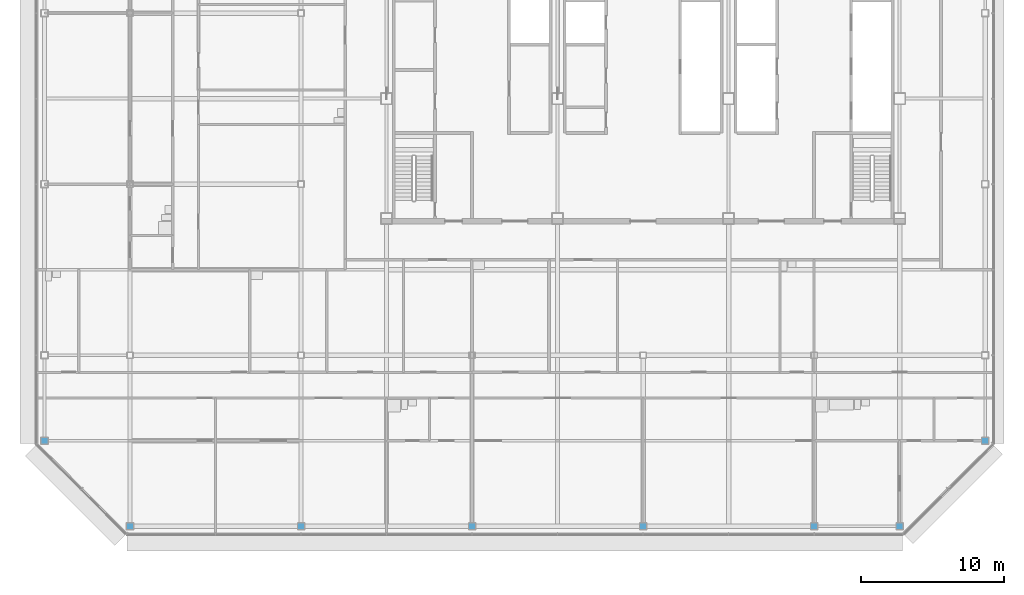
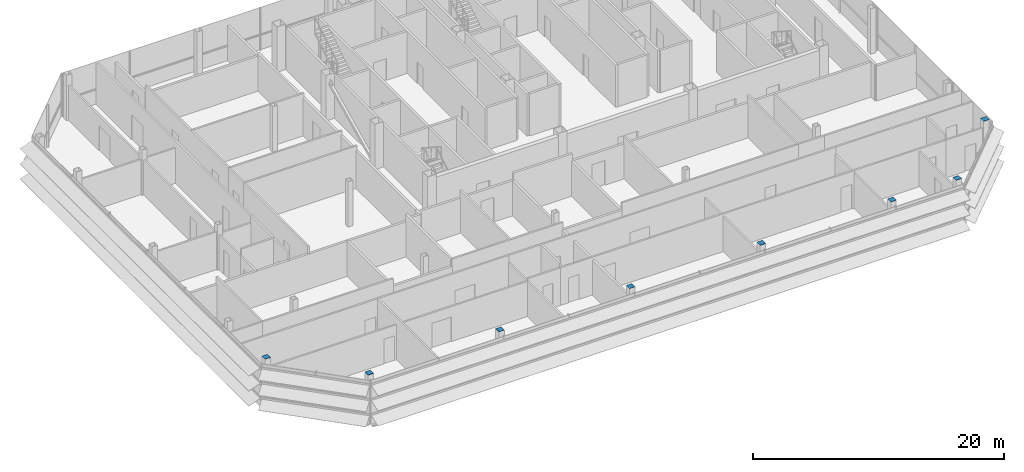
# One storey, part 26 of 29: 8 discrete accessories.
"""IFC4 building model written with IfcOpenShell, lengths in metres."""

from ifc_helpers import new_model, si_unit, direction, frame, origin, origin_2d, place, context, subcontext, project, spatial, rectangle, extrude, material, layer, layer_set, type_object, element, save


model = new_model("IFC4")

# Units and contexts
model_context = context("Model", 3, precision=1e-05, world=origin(), true_north=direction((0.0, 1.0)))
body_context = subcontext(model_context, "Body", "Model", "MODEL_VIEW")
ifc_project = project(units=[si_unit("LENGTHUNIT", "METRE"), si_unit("AREAUNIT", "SQUARE_METRE"), si_unit("VOLUMEUNIT", "CUBIC_METRE"), si_unit("PLANEANGLEUNIT", "RADIAN"), si_unit("MASSUNIT", "GRAM", prefix="KILO")], contexts=[model_context])

# Site, building, storey
site_placement = place(None, origin())
site = spatial("IfcSite", under=ifc_project, at=site_placement, CompositionType="ELEMENT")
building_placement = place(site_placement, origin())
building = spatial("IfcBuilding", under=site, at=building_placement, Name="Sorahane Residences", CompositionType="ELEMENT")
storey_placement = place(building_placement, frame((0.0, 0.0, 326.800048828125)))
storey = spatial("IfcBuildingStorey", under=building, at=storey_placement, Name="L78", CompositionType="ELEMENT", Elevation=326.800048828125)

# Discrete accessories
ifc_material = material(Name="Steel Q355B", Category="steel")
ifc_layer = layer(ifc_material, 0.02001953125)
ifc_layer_set = layer_set([ifc_layer], Name="End plate Steel Q355B 500x500x20")
discrete_accessory_type = type_object("IfcDiscreteAccessoryType", Name="End plate Steel Q355B 500x500x20", PredefinedType="USERDEFINED", material=ifc_layer_set)
for number, where, z_axis, x_axis, name in (
    (1, (0.0, 0.0, 4.39990234375), (0.0, 0.0, 1.0), (1.0, 0.0, 0.0), "End plate L78"),
    (2, (12.0, 0.0, 4.39990234375), (0.0, 0.0, 1.0), (1.0, 0.0, 0.0), "End plate L78"),
    (3, (24.0, 0.0, 4.39990234375), (0.0, 0.0, 1.0), (1.0, 0.0, 0.0), "End plate L78"),
    (4, (36.0, 0.0, 4.39990234375), (0.0, 0.0, 1.0), (1.0, 0.0, 0.0), "End plate L78"),
    (5, (42.0, 0.0, 4.39990234375), (0.0, 0.0, 1.0), (1.0, 0.0, 0.0), "End plate L78"),
    (6, (48.0, 6.0, 4.39990234375), (0.0, 0.0, 1.0), (1.0, 0.0, 0.0), "End plate L78"),
    (7, (-12.0, 0.0, 4.39990234375), (0.0, 0.0, 1.0), (1.0, 0.0, 0.0), "End plate L78"),
    (8, (-18.0, 6.0, 4.39990234375), (0.0, 0.0, 1.0), (1.0, 0.0, 0.0), "End plate L78"),
):
    element("IfcDiscreteAccessory", number, at=place(storey_placement, frame(where, z_axis=z_axis, x_axis=x_axis)), inside=storey, type_object=discrete_accessory_type, Name=name, ObjectType="END PLATE", PredefinedType="USERDEFINED", context=body_context, shape_type="SweptSolid", body=[
        extrude(rectangle(XDim=0.5, YDim=0.5, at=origin_2d()), origin(), (0.0, 0.0, 1.0), 0.02001953125),
    ])

save(model, "model.ifc")
